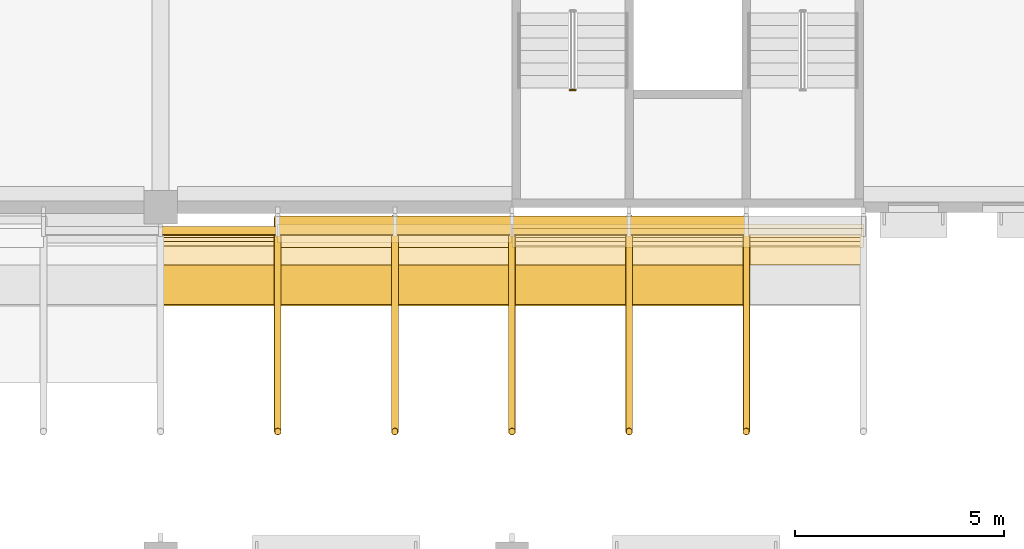
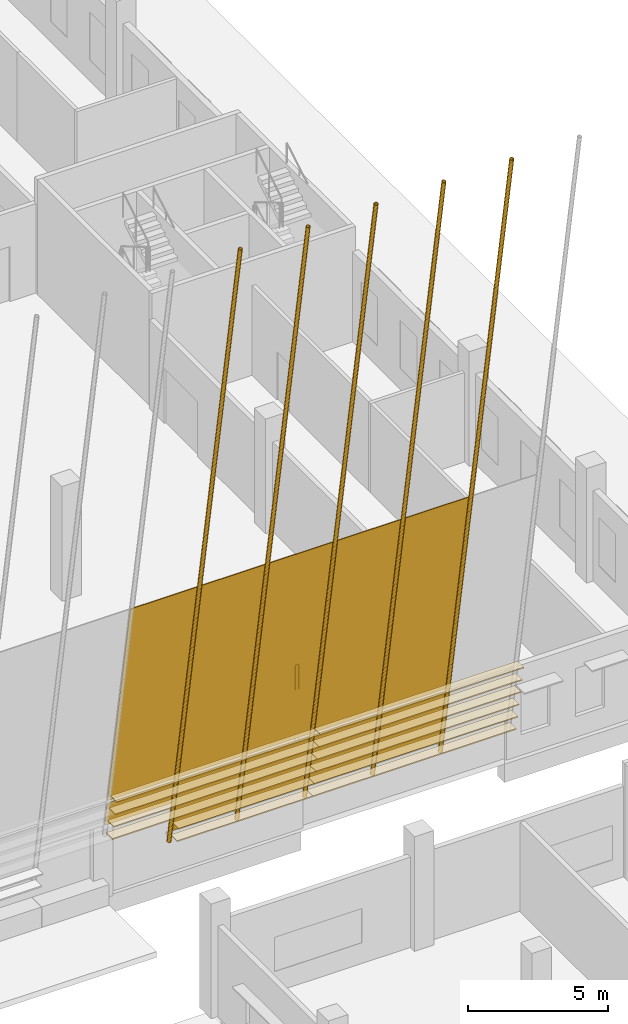
# One storey, part 96 of 101: 22 coverings, 5 shading devices, 2 railings.
"""IFC4 building model written with IfcOpenShell, lengths in metres."""

import ifcopenshell
import ifcopenshell.guid

model = None  # the IFC model being written
_history = None  # IfcOwnerHistory: only IFC2X3 demands one
_inside = {}  # id of a spatial element -> (the spatial element, [elements in it])
_under = {}  # id of a project, library or spatial element -> (it, [spatial elements below it])
_declared = {}  # id of a project -> (the project, [libraries it declares])
_typed = {}  # id of a type object -> (the type object, [elements of that type])
_made_of = {}  # id of a material, layer set ... -> (it, [elements and type objects made of it])


def new_model(schema):
    """Start an empty IFC model of exactly this schema.

    Asked for "IFC4X3", IfcOpenShell would pick the latest addendum, in which some entities
    have other attributes; the version numbers below select the first issue.
    IFC2X3 requires an IfcOwnerHistory on every rooted entity: one is made here for all.
    """
    global model, _history
    if schema == "IFC4X3":
        model = ifcopenshell.file(schema_version=(4, 3, 0, 0))
    else:
        model = ifcopenshell.file(schema=schema)
    _inside.clear()
    _under.clear()
    _declared.clear()
    _typed.clear()
    _made_of.clear()
    _history = None
    if model.schema == "IFC2X3":
        org = make("IfcOrganization", Name="unknown")
        user = make(
            "IfcPersonAndOrganization",
            ThePerson=make("IfcPerson", FamilyName="unknown"),
            TheOrganization=org,
        )
        app = make(
            "IfcApplication",
            ApplicationDeveloper=org,
            Version="unknown",
            ApplicationFullName="unknown",
            ApplicationIdentifier="unknown",
        )
        _history = make(
            "IfcOwnerHistory",
            OwningUser=user,
            OwningApplication=app,
            ChangeAction="ADDED",
            CreationDate=0,
        )
    return model


def make(cls, **values):
    """One entity of the class cls with the attributes given. An attribute that is None is left unset."""
    return model.create_entity(
        cls, **{name: value for name, value in values.items() if value is not None}
    )


def rooted(cls, **values):
    """An entity with a GlobalId (a new one), such as an element, a storey or a relation."""
    return make(cls, GlobalId=ifcopenshell.guid.new(), OwnerHistory=_history, **values)


def si_unit(unit_type, name, prefix=None):
    """IfcSIUnit, for example si_unit("LENGTHUNIT", "METRE", prefix="MILLI")."""
    return make("IfcSIUnit", UnitType=unit_type, Prefix=prefix, Name=name)


def assignment(units):
    """IfcUnitAssignment: the units of a project."""
    return None if units is None else make("IfcUnitAssignment", Units=units)


def point(xyz):
    """IfcCartesianPoint."""
    return None if xyz is None else make("IfcCartesianPoint", Coordinates=xyz)


def direction(xyz):
    """IfcDirection."""
    return None if xyz is None else make("IfcDirection", DirectionRatios=xyz)


def frame(location, z_axis=None, x_axis=None):
    """IfcAxis2Placement3D, a coordinate frame: its origin and axes. An axis left out is left unset."""
    return make(
        "IfcAxis2Placement3D",
        Location=point(location),
        Axis=direction(z_axis),
        RefDirection=direction(x_axis),
    )


def frame_2d(location, x_axis=None):
    """IfcAxis2Placement2D, a coordinate frame in the plane: its origin and x axis."""
    return make(
        "IfcAxis2Placement2D", Location=point(location), RefDirection=direction(x_axis)
    )


def origin():
    """The frame at (0, 0, 0) with its axes left unset."""
    return frame((0.0, 0.0, 0.0))


def origin_2d():
    """The frame at (0, 0) in the plane with its x axis left unset."""
    return frame_2d((0.0, 0.0))


def place(relative_to, where):
    """IfcLocalPlacement: puts the frame where relative to a parent placement (None: the world)."""
    return make(
        "IfcLocalPlacement", PlacementRelTo=relative_to, RelativePlacement=where
    )


def context(
    kind, dimensions, precision=None, world=None, true_north=None, identifier=None
):
    """IfcGeometricRepresentationContext, for example the 3D "Model" context."""
    return make(
        "IfcGeometricRepresentationContext",
        ContextIdentifier=identifier,
        ContextType=kind,
        CoordinateSpaceDimension=dimensions,
        Precision=precision,
        WorldCoordinateSystem=world,
        TrueNorth=true_north,
    )


def subcontext(parent, identifier, kind, view, scale=None):
    """IfcGeometricRepresentationSubContext, for example "Body" below "Model"."""
    return make(
        "IfcGeometricRepresentationSubContext",
        ContextIdentifier=identifier,
        ContextType=kind,
        ParentContext=parent,
        TargetScale=scale,
        TargetView=view,
    )


def project(units=None, contexts=None):
    """IfcProject with its units and contexts."""
    return rooted(
        "IfcProject",
        Name="project",
        RepresentationContexts=contexts,
        UnitsInContext=assignment(units),
    )


def spatial(cls, under=None, at=None, **own):
    """A site, building, storey or space (cls), placed at a placement, below another one or the project."""
    s = rooted(cls, ObjectPlacement=at, **own)
    if under is not None:
        _under.setdefault(under.id(), (under, []))[1].append(s)
    return s


def polyline(points):
    """IfcPolyline through the points."""
    return make("IfcPolyline", Points=[point(p) for p in points])


def profile(cls, at=None, kind="AREA", **sizes):
    """A parametric profile (cls). Its sizes go by their IFC names, for example OverallWidth=200.0."""
    return make(cls, ProfileType=kind, Position=at, **sizes)


def rectangle(**sizes):
    """IfcRectangleProfileDef."""
    return profile("IfcRectangleProfileDef", **sizes)


def circle(**sizes):
    """IfcCircleProfileDef."""
    return profile("IfcCircleProfileDef", **sizes)


def hollow_circle(**sizes):
    """IfcCircleHollowProfileDef."""
    return profile("IfcCircleHollowProfileDef", **sizes)


def outline(outer, holes=None, kind="AREA"):
    """IfcArbitraryClosedProfileDef: a profile drawn as a closed curve; with holes, ...WithVoids."""
    if holes is None:
        return make("IfcArbitraryClosedProfileDef", ProfileType=kind, OuterCurve=outer)
    return make(
        "IfcArbitraryProfileDefWithVoids",
        ProfileType=kind,
        OuterCurve=outer,
        InnerCurves=holes,
    )


def extrude(swept, where, along, depth):
    """IfcExtrudedAreaSolid: the profile swept, set in the frame where, extruded along a direction by depth."""
    return make(
        "IfcExtrudedAreaSolid",
        SweptArea=swept,
        Position=where,
        ExtrudedDirection=direction(along),
        Depth=depth,
    )


def shape(context_of_items, identifier, shape_type, items):
    """IfcShapeRepresentation: the items that make up one representation, for example the "Body"."""
    return make(
        "IfcShapeRepresentation",
        ContextOfItems=context_of_items,
        RepresentationIdentifier=identifier,
        RepresentationType=shape_type,
        Items=items,
    )


def material(Name=None, Category=None):
    """IfcMaterial."""
    return make("IfcMaterial", Name=Name, Category=Category)


def layer(
    of_material, thickness, ventilated=None, Name=None, Category=None, Priority=None
):
    """IfcMaterialLayer: one layer of a wall or slab, of a material (None: an air gap)."""
    return make(
        "IfcMaterialLayer",
        Material=of_material,
        LayerThickness=thickness,
        IsVentilated=ventilated,
        Name=Name,
        Category=Category,
        Priority=Priority,
    )


def layer_set(layers, Name=None):
    """IfcMaterialLayerSet."""
    return make("IfcMaterialLayerSet", MaterialLayers=layers, LayerSetName=Name)


def material_profile(
    of_material, cross_section, Name=None, Category=None, Priority=None
):
    """IfcMaterialProfile: a cross section and its material."""
    return make(
        "IfcMaterialProfile",
        Name=Name,
        Material=of_material,
        Profile=cross_section,
        Priority=Priority,
        Category=Category,
    )


def profile_set(profiles, Name=None, composite=None):
    """IfcMaterialProfileSet."""
    return make(
        "IfcMaterialProfileSet",
        Name=Name,
        MaterialProfiles=profiles,
        CompositeProfile=composite,
    )


def made_of(thing, what):
    """Note that an element or type object is made of a material, layer set ...; save() writes the relation."""
    if what is not None:
        _made_of.setdefault(what.id(), (what, []))[1].append(thing)
    return thing


def type_object(cls, material=None, **own):
    """A type object (cls), such as IfcWallType, which elements share."""
    return made_of(rooted(cls, **own), material)


def element(
    cls,
    number,
    at=None,
    inside=None,
    cuts=None,
    type_object=None,
    material=None,
    context=None,
    identifier="Body",
    shape_type=None,
    held_by="IfcProductDefinitionShape",
    body=None,
    shapes=None,
    **own,
):
    """One element of the class cls, such as IfcWall. Its Tag is "e" and its number.

    at: its placement. inside: the storey or other place that contains it. cuts: it is an
    opening in that element (IfcRelVoidsElement). A single representation is given by context,
    identifier, shape_type and body (its items); several are given by shapes. held_by: the class
    of the entity that holds the representations. save() writes the other relations.
    """
    e = rooted(cls, Tag="e%d" % number, ObjectPlacement=at, **own)
    if body is not None:
        shapes = [shape(context, identifier, shape_type, body)]
    if shapes is not None:
        e.Representation = make(held_by, Representations=shapes)
    if inside is not None:
        _inside.setdefault(inside.id(), (inside, []))[1].append(e)
    if cuts is not None:
        rooted(
            "IfcRelVoidsElement", RelatingBuildingElement=cuts, RelatedOpeningElement=e
        )
    if type_object is not None:
        _typed.setdefault(type_object.id(), (type_object, []))[1].append(e)
    return made_of(e, material)


def aggregate(whole, parts):
    """IfcRelAggregates: a whole, such as a stair, and the parts it consists of."""
    return rooted("IfcRelAggregates", RelatingObject=whole, RelatedObjects=parts)


def save(model, path):
    """Write the relations noted so far, then the file.

    IfcRelAggregates (storeys below a building ...), IfcRelContainedInSpatialStructure (elements
    in a storey), IfcRelDefinesByType, IfcRelAssociatesMaterial and IfcRelDeclares: one each for
    every whole, place, type object, material and project.
    """
    for whole, parts in _under.values():
        aggregate(whole, parts)
    for where, things in _inside.values():
        rooted(
            "IfcRelContainedInSpatialStructure",
            RelatedElements=things,
            RelatingStructure=where,
        )
    for kind, things in _typed.values():
        rooted("IfcRelDefinesByType", RelatedObjects=things, RelatingType=kind)
    for what, things in _made_of.values():
        rooted("IfcRelAssociatesMaterial", RelatedObjects=things, RelatingMaterial=what)
    for by, libraries in _declared.values():
        rooted("IfcRelDeclares", RelatingContext=by, RelatedDefinitions=libraries)
    model.write(path)


model = new_model("IFC4")

# Units and contexts
model_context = context("Model", 3, precision=1e-05, world=origin(), true_north=direction((0.0, 1.0)))
body_context = subcontext(model_context, "Body", "Model", "MODEL_VIEW")
ifc_project = project(units=[si_unit("LENGTHUNIT", "METRE"), si_unit("AREAUNIT", "SQUARE_METRE"), si_unit("VOLUMEUNIT", "CUBIC_METRE"), si_unit("PLANEANGLEUNIT", "RADIAN"), si_unit("MASSUNIT", "GRAM", prefix="KILO")], contexts=[model_context])

# Site, building, storey
site_placement = place(None, origin())
site = spatial("IfcSite", under=ifc_project, at=site_placement, CompositionType="ELEMENT")
building_placement = place(site_placement, origin())
building = spatial("IfcBuilding", under=site, at=building_placement, Name="Almond Square Museum", CompositionType="ELEMENT")
storey_placement = place(building_placement, frame((0.0, 0.0, 5.5)))
storey = spatial("IfcBuildingStorey", under=building, at=storey_placement, Name="L01", CompositionType="ELEMENT", Elevation=5.5)

# Coverings
ifc_material_1 = material(Name="Cedar timber louvre board", Category="wood")
ifc_material_profile_1 = material_profile(ifc_material_1, rectangle(XDim=0.449951171875, YDim=0.050048828125, at=origin_2d()))
ifc_profile_set_1 = profile_set([ifc_material_profile_1], Name="Cedar timber louvre board")
covering_type_1 = type_object("IfcCoveringType", Name="Louvre board 450 x 50", PredefinedType="CLADDING", material=ifc_profile_set_1)
covering_1_placement = place(storey_placement, frame((134.800048828125, 49.776123046875, 1.800048828125), z_axis=(1.0, 0.0, 0.0), x_axis=(0.0, 1.0, 0.0)))
element("IfcCovering", 1, at=covering_1_placement, inside=storey, type_object=covering_type_1, Name="Louvre board S01.04", PredefinedType="CLADDING", context=body_context, shape_type="SweptSolid", body=[
    extrude(rectangle(XDim=0.449951171875, YDim=0.050048828125, at=origin_2d()), origin(), (0.0, 0.0, 1.0), 5.599853515625),
])
covering_2_placement = place(storey_placement, frame((140.39990234375, 49.776123046875, 1.800048828125), z_axis=(1.0, 0.0, 0.0), x_axis=(0.0, 1.0, 0.0)))
element("IfcCovering", 2, at=covering_2_placement, inside=storey, type_object=covering_type_1, Name="Louvre board S01.05", PredefinedType="CLADDING", context=body_context, shape_type="SweptSolid", body=[
    extrude(rectangle(XDim=0.449951171875, YDim=0.050048828125, at=origin_2d()), origin(), (0.0, 0.0, 1.0), 8.400146484375),
])
covering_3_placement = place(storey_placement, frame((134.800048828125, 49.67041015625, 2.39990234375), z_axis=(1.0, 0.0, 0.0), x_axis=(0.0, 1.0, 0.0)))
element("IfcCovering", 3, at=covering_3_placement, inside=storey, type_object=covering_type_1, Name="Louvre board S02.04", PredefinedType="CLADDING", context=body_context, shape_type="SweptSolid", body=[
    extrude(rectangle(XDim=0.449951171875, YDim=0.050048828125, at=origin_2d()), origin(), (0.0, 0.0, 1.0), 5.599853515625),
])
covering_4_placement = place(storey_placement, frame((140.39990234375, 49.67041015625, 2.39990234375), z_axis=(1.0, 0.0, 0.0), x_axis=(0.0, 1.0, 0.0)))
element("IfcCovering", 4, at=covering_4_placement, inside=storey, type_object=covering_type_1, Name="Louvre board S02.05", PredefinedType="CLADDING", context=body_context, shape_type="SweptSolid", body=[
    extrude(rectangle(XDim=0.449951171875, YDim=0.050048828125, at=origin_2d()), origin(), (0.0, 0.0, 1.0), 8.400146484375),
])
covering_5_placement = place(storey_placement, frame((132.0, 49.564453125, 3.0), z_axis=(1.0, 0.0, 0.0), x_axis=(0.0, 1.0, 0.0)))
element("IfcCovering", 5, at=covering_5_placement, inside=storey, type_object=covering_type_1, Name="Louvre board S03.04", PredefinedType="CLADDING", context=body_context, shape_type="SweptSolid", body=[
    extrude(rectangle(XDim=0.449951171875, YDim=0.050048828125, at=origin_2d()), origin(), (0.0, 0.0, 1.0), 8.39990234375),
])
covering_6_placement = place(storey_placement, frame((140.39990234375, 49.564453125, 3.0), z_axis=(1.0, 0.0, 0.0), x_axis=(0.0, 1.0, 0.0)))
element("IfcCovering", 6, at=covering_6_placement, inside=storey, type_object=covering_type_1, Name="Louvre board S03.05", PredefinedType="CLADDING", context=body_context, shape_type="SweptSolid", body=[
    extrude(rectangle(XDim=0.449951171875, YDim=0.050048828125, at=origin_2d()), origin(), (0.0, 0.0, 1.0), 8.400146484375),
])
covering_7_placement = place(storey_placement, frame((132.0, 49.458740234375, 3.60009765625), z_axis=(1.0, 0.0, 0.0), x_axis=(0.0, 1.0, 0.0)))
element("IfcCovering", 7, at=covering_7_placement, inside=storey, type_object=covering_type_1, Name="Louvre board S04.04", PredefinedType="CLADDING", context=body_context, shape_type="SweptSolid", body=[
    extrude(rectangle(XDim=0.449951171875, YDim=0.050048828125, at=origin_2d()), origin(), (0.0, 0.0, 1.0), 8.39990234375),
])
covering_8_placement = place(storey_placement, frame((140.39990234375, 49.458740234375, 3.60009765625), z_axis=(1.0, 0.0, 0.0), x_axis=(0.0, 1.0, 0.0)))
element("IfcCovering", 8, at=covering_8_placement, inside=storey, type_object=covering_type_1, Name="Louvre board S04.05", PredefinedType="CLADDING", context=body_context, shape_type="SweptSolid", body=[
    extrude(rectangle(XDim=0.449951171875, YDim=0.050048828125, at=origin_2d()), origin(), (0.0, 0.0, 1.0), 8.400146484375),
])
covering_9_placement = place(storey_placement, frame((132.0, 49.35302734375, 4.199951171875), z_axis=(1.0, 0.0, 0.0), x_axis=(0.0, 1.0, 0.0)))
element("IfcCovering", 9, at=covering_9_placement, inside=storey, type_object=covering_type_1, Name="Louvre board S05.04", PredefinedType="CLADDING", context=body_context, shape_type="SweptSolid", body=[
    extrude(rectangle(XDim=0.449951171875, YDim=0.050048828125, at=origin_2d()), origin(), (0.0, 0.0, 1.0), 8.39990234375),
])
covering_10_placement = place(storey_placement, frame((140.39990234375, 49.35302734375, 4.199951171875), z_axis=(1.0, 0.0, 0.0), x_axis=(0.0, 1.0, 0.0)))
element("IfcCovering", 10, at=covering_10_placement, inside=storey, type_object=covering_type_1, Name="Louvre board S05.05", PredefinedType="CLADDING", context=body_context, shape_type="SweptSolid", body=[
    extrude(rectangle(XDim=0.449951171875, YDim=0.050048828125, at=origin_2d()), origin(), (0.0, 0.0, 1.0), 8.400146484375),
])
covering_11_placement = place(storey_placement, frame((132.0, 49.2470703125, 4.800048828125), z_axis=(1.0, 0.0, 0.0), x_axis=(0.0, 1.0, 0.0)))
element("IfcCovering", 11, at=covering_11_placement, inside=storey, type_object=covering_type_1, Name="Louvre board S06.04", PredefinedType="CLADDING", context=body_context, shape_type="SweptSolid", body=[
    extrude(rectangle(XDim=0.449951171875, YDim=0.050048828125, at=origin_2d()), origin(), (0.0, 0.0, 1.0), 8.39990234375),
])
covering_12_placement = place(storey_placement, frame((140.39990234375, 49.2470703125, 4.800048828125), z_axis=(1.0, 0.0, 0.0), x_axis=(0.0, 1.0, 0.0)))
element("IfcCovering", 12, at=covering_12_placement, inside=storey, type_object=covering_type_1, Name="Louvre board S06.05", PredefinedType="CLADDING", context=body_context, shape_type="SweptSolid", body=[
    extrude(rectangle(XDim=0.449951171875, YDim=0.050048828125, at=origin_2d()), origin(), (0.0, 0.0, 1.0), 8.400146484375),
])

# Shading devices
ifc_material_2 = material(Name="Structural steel S355", Category="steel")
ifc_material_profile_2 = material_profile(ifc_material_2, hollow_circle(Radius=0.084228515625, WallThickness=0.008056640625, at=origin_2d()))
ifc_profile_set_2 = profile_set([ifc_material_profile_2], Name="Structural steel S355")
shading_device_type = type_object("IfcShadingDeviceType", Name="Louvre post CHS 168.3 x 8", PredefinedType="USERDEFINED", material=ifc_profile_set_2)
for number, where, z_axis, x_axis, name in (
    (13, (134.800048828125, 50.14453125, 1.44873046875), (0.0, -0.173651732188, 0.984807126248), (1.0, 0.0, 0.0), "Louvre post S11"),
    (14, (137.60009765625, 50.14453125, 1.44873046875), (0.0, -0.173651732188, 0.984807126248), (1.0, 0.0, 0.0), "Louvre post S12"),
    (15, (140.39990234375, 50.14453125, 1.44873046875), (0.0, -0.173651732188, 0.984807126248), (1.0, 0.0, 0.0), "Louvre post S13"),
    (16, (143.199951171875, 50.14453125, 1.44873046875), (0.0, -0.173651732188, 0.984807126248), (1.0, 0.0, 0.0), "Louvre post S14"),
    (17, (146.0, 50.14453125, 1.44873046875), (0.0, -0.173651732188, 0.984807126248), (1.0, 0.0, 0.0), "Louvre post S15"),
):
    element("IfcShadingDevice", number, at=place(storey_placement, frame(where, z_axis=z_axis, x_axis=x_axis)), inside=storey, type_object=shading_device_type, Name=name, ObjectType="POST", PredefinedType="USERDEFINED", context=body_context, shape_type="SweptSolid", body=[
        extrude(hollow_circle(Radius=0.084228515625, WallThickness=0.008056640625, at=origin_2d()), origin(), (0.0, 0.0, 1.0), 29.397705078125),
    ])

# Coverings
ifc_material_3 = material(Name="Cedar timber sheathing panel", Category="wood")
ifc_layer = layer(ifc_material_3, 0.030029296875)
ifc_layer_set = layer_set([ifc_layer], Name="Cedar timber sheathing panel")
covering_type_2 = type_object("IfcCoveringType", Name="Louvre rain-screen backing panel 30", PredefinedType="CLADDING", material=ifc_layer_set)
covering_13_placement = place(storey_placement, frame((132.0, 49.922607421875, 3.2666015625), z_axis=(0.0, -0.984810858511, -0.173630564586), x_axis=(1.0, 0.0, 0.0)))
element("IfcCovering", 18, at=covering_13_placement, inside=storey, type_object=covering_type_2, Name="Louvre rain-screen backing panel S10.03", PredefinedType="CLADDING", context=body_context, shape_type="SweptSolid", body=[
    extrude(outline(polyline([(0.0, 0.0), (2.800048828125, 0.0), (2.800048828125, 1.079878997382029), (0.0, 1.079878997382029), (0.0, 0.0)])), frame((0.0, 0.0, -0.01513671875)), (0.0, 0.0, 1.0), 0.030029296875),
])
covering_14_placement = place(storey_placement, frame((132.0, 49.71044921875, 4.469970703125), z_axis=(0.0, -0.98480863204, -0.173643192378), x_axis=(1.0, 0.0, 0.0)))
element("IfcCovering", 19, at=covering_14_placement, inside=storey, type_object=covering_type_2, Name="Louvre rain-screen backing panel S10.04", PredefinedType="CLADDING", context=body_context, shape_type="SweptSolid", body=[
    extrude(outline(polyline([(0.0, 0.0), (2.800048828125, 0.0), (2.800048828125, 9.504493682681225), (0.0, 9.504493682681225), (0.0, 0.0)])), frame((0.0, 0.0, -0.01513671875)), (0.0, 0.0, 1.0), 0.030029296875),
])
covering_15_placement = place(storey_placement, frame((134.800048828125, 50.172607421875, 1.8486328125), z_axis=(0.0, -0.984810858511, -0.173630564586), x_axis=(1.0, 0.0, 0.0)))
element("IfcCovering", 20, at=covering_15_placement, inside=storey, type_object=covering_type_2, Name="Louvre rain-screen backing panel S11.03", PredefinedType="CLADDING", context=body_context, shape_type="SweptSolid", body=[
    extrude(outline(polyline([(0.0, 0.0), (2.800048828125, 0.0), (2.800048828125, 2.519717660558068), (0.0, 2.519717660558068), (0.0, 0.0)])), frame((0.0, 0.0, -0.01513671875)), (0.0, 0.0, 1.0), 0.030029296875),
])
covering_16_placement = place(storey_placement, frame((134.800048828125, 49.71044921875, 4.469970703125), z_axis=(0.0, -0.98480863204, -0.173643192378), x_axis=(1.0, 0.0, 0.0)))
element("IfcCovering", 21, at=covering_16_placement, inside=storey, type_object=covering_type_2, Name="Louvre rain-screen backing panel S11.04", PredefinedType="CLADDING", context=body_context, shape_type="SweptSolid", body=[
    extrude(outline(polyline([(0.0, 0.0), (2.800048828125, 0.0), (2.800048828125, 9.504493682681225), (0.0, 9.504493682681225), (0.0, 0.0)])), frame((0.0, 0.0, -0.01513671875)), (0.0, 0.0, 1.0), 0.030029296875),
])
covering_17_placement = place(storey_placement, frame((137.60009765625, 50.172607421875, 1.8486328125), z_axis=(0.0, -0.984810858511, -0.173630564586), x_axis=(1.0, 0.0, 0.0)))
element("IfcCovering", 22, at=covering_17_placement, inside=storey, type_object=covering_type_2, Name="Louvre rain-screen backing panel S12.03", PredefinedType="CLADDING", context=body_context, shape_type="SweptSolid", body=[
    extrude(outline(polyline([(0.0, 0.0), (2.7998046875, 0.0), (2.7998046875, 2.519717660558068), (0.0, 2.519717660558068), (0.0, 0.0)])), frame((0.0, 0.0, -0.01513671875)), (0.0, 0.0, 1.0), 0.030029296875),
])
covering_18_placement = place(storey_placement, frame((137.60009765625, 49.71044921875, 4.469970703125), z_axis=(0.0, -0.98480863204, -0.173643192378), x_axis=(1.0, 0.0, 0.0)))
element("IfcCovering", 23, at=covering_18_placement, inside=storey, type_object=covering_type_2, Name="Louvre rain-screen backing panel S12.04", PredefinedType="CLADDING", context=body_context, shape_type="SweptSolid", body=[
    extrude(outline(polyline([(0.0, 0.0), (2.7998046875, 0.0), (2.7998046875, 9.504493682681227), (0.0, 9.504493682681227), (0.0, 0.0)])), frame((0.0, 0.0, -0.01513671875)), (0.0, 0.0, 1.0), 0.030029296875),
])
covering_19_placement = place(storey_placement, frame((140.39990234375, 50.172607421875, 1.8486328125), z_axis=(0.0, -0.984810858511, -0.173630564586), x_axis=(1.0, 0.0, 0.0)))
element("IfcCovering", 24, at=covering_19_placement, inside=storey, type_object=covering_type_2, Name="Louvre rain-screen backing panel S13.03", PredefinedType="CLADDING", context=body_context, shape_type="SweptSolid", body=[
    extrude(outline(polyline([(0.0, 0.0), (2.800048828125, 0.0), (2.800048828125, 2.519717660558068), (0.0, 2.519717660558068), (0.0, 0.0)])), frame((0.0, 0.0, -0.01513671875)), (0.0, 0.0, 1.0), 0.030029296875),
])
covering_20_placement = place(storey_placement, frame((140.39990234375, 49.71044921875, 4.469970703125), z_axis=(0.0, -0.98480863204, -0.173643192378), x_axis=(1.0, 0.0, 0.0)))
element("IfcCovering", 25, at=covering_20_placement, inside=storey, type_object=covering_type_2, Name="Louvre rain-screen backing panel S13.04", PredefinedType="CLADDING", context=body_context, shape_type="SweptSolid", body=[
    extrude(outline(polyline([(0.0, 0.0), (2.800048828125, 0.0), (2.800048828125, 9.504493682681225), (0.0, 9.504493682681225), (0.0, 0.0)])), frame((0.0, 0.0, -0.01513671875)), (0.0, 0.0, 1.0), 0.030029296875),
])
covering_21_placement = place(storey_placement, frame((143.199951171875, 50.172607421875, 1.8486328125), z_axis=(0.0, -0.984810858511, -0.173630564586), x_axis=(1.0, 0.0, 0.0)))
element("IfcCovering", 26, at=covering_21_placement, inside=storey, type_object=covering_type_2, Name="Louvre rain-screen backing panel S14.03", PredefinedType="CLADDING", context=body_context, shape_type="SweptSolid", body=[
    extrude(outline(polyline([(0.0, 0.0), (2.800048828125, 0.0), (2.800048828125, 2.519717660558068), (0.0, 2.519717660558068), (0.0, 0.0)])), frame((0.0, 0.0, -0.01513671875)), (0.0, 0.0, 1.0), 0.030029296875),
])
covering_22_placement = place(storey_placement, frame((143.199951171875, 49.71044921875, 4.469970703125), z_axis=(0.0, -0.98480863204, -0.173643192378), x_axis=(1.0, 0.0, 0.0)))
element("IfcCovering", 27, at=covering_22_placement, inside=storey, type_object=covering_type_2, Name="Louvre rain-screen backing panel S14.04", PredefinedType="CLADDING", context=body_context, shape_type="SweptSolid", body=[
    extrude(outline(polyline([(0.0, 0.0), (2.800048828125, 0.0), (2.800048828125, 9.504493682681225), (0.0, 9.504493682681225), (0.0, 0.0)])), frame((0.0, 0.0, -0.01513671875)), (0.0, 0.0, 1.0), 0.030029296875),
])

# Railings
ifc_material_4 = material(Name="Stainless steel and laminated glass", Category="steel")
railing_type = type_object("IfcRailingType", Name="Stair guard 1100 steel and glass", PredefinedType="GUARDRAIL", material=ifc_material_4)
for number, where, name in (
    (28, (141.780029296875, 53.199951171875, 1.25), "L01 ST-03 stair guard 2"),
    (29, (141.780029296875, 53.199951171875, 3.75), "L01 ST-03 stair guard 6"),
):
    element("IfcRailing", number, at=place(storey_placement, frame(where)), inside=storey, type_object=railing_type, Name=name, PredefinedType="GUARDRAIL", context=body_context, shape_type="SweptSolid", body=[
        extrude(circle(Radius=0.02392578125, at=origin_2d()), frame((0.0, 0.0, 1.076171875), z_axis=(1.0, 0.0, 0.0), x_axis=(0.0, 1.0, 0.0)), (0.0, 0.0, 1.0), 0.139892578125),
        extrude(circle(Radius=0.02099609375, at=origin_2d()), origin(), (0.0, 0.0, 1.0), 1.052001953125),
        extrude(circle(Radius=0.02099609375, at=origin_2d()), frame((0.139892578125, 0.0, 0.0)), (0.0, 0.0, 1.0), 1.052001953125),
    ])

save(model, "model.ifc")
